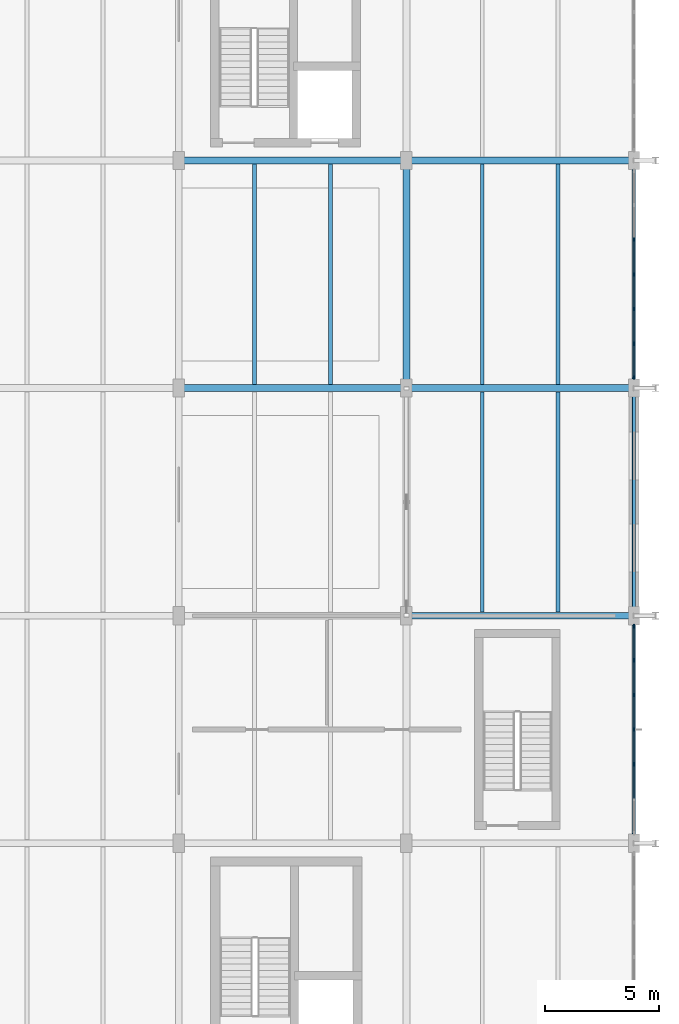
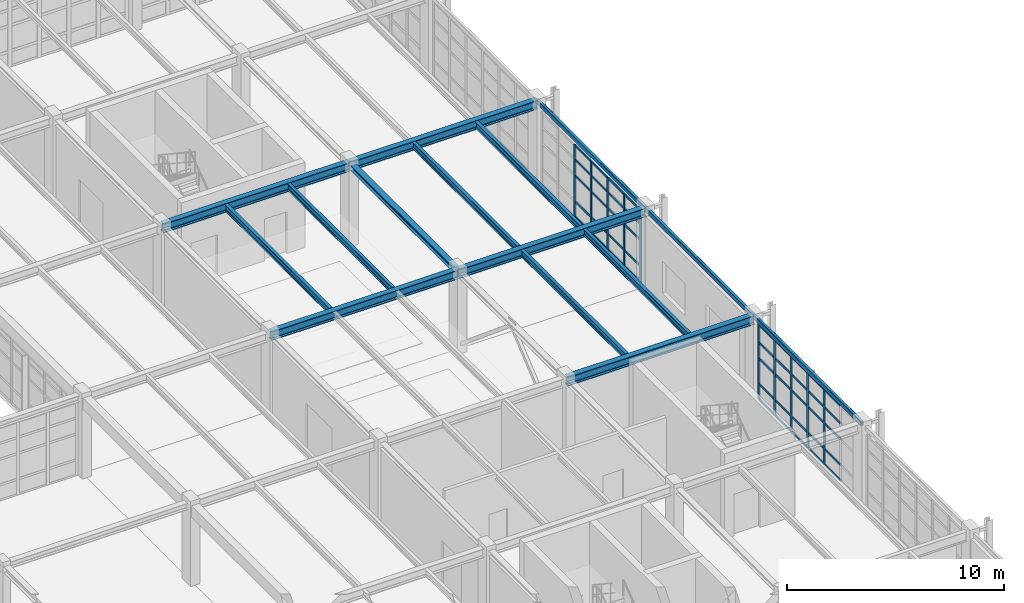
# One storey, part 70 of 139: 55 members, 15 beams, 2 elements without a shape of their own.
"""IFC4 building model written with IfcOpenShell, lengths in metres."""

import ifcopenshell
import ifcopenshell.guid

model = None  # the IFC model being written
_history = None  # IfcOwnerHistory: only IFC2X3 demands one
_inside = {}  # id of a spatial element -> (the spatial element, [elements in it])
_under = {}  # id of a project, library or spatial element -> (it, [spatial elements below it])
_declared = {}  # id of a project -> (the project, [libraries it declares])
_typed = {}  # id of a type object -> (the type object, [elements of that type])
_made_of = {}  # id of a material, layer set ... -> (it, [elements and type objects made of it])


def new_model(schema):
    """Start an empty IFC model of exactly this schema.

    Asked for "IFC4X3", IfcOpenShell would pick the latest addendum, in which some entities
    have other attributes; the version numbers below select the first issue.
    IFC2X3 requires an IfcOwnerHistory on every rooted entity: one is made here for all.
    """
    global model, _history
    if schema == "IFC4X3":
        model = ifcopenshell.file(schema_version=(4, 3, 0, 0))
    else:
        model = ifcopenshell.file(schema=schema)
    _inside.clear()
    _under.clear()
    _declared.clear()
    _typed.clear()
    _made_of.clear()
    _history = None
    if model.schema == "IFC2X3":
        org = make("IfcOrganization", Name="unknown")
        user = make(
            "IfcPersonAndOrganization",
            ThePerson=make("IfcPerson", FamilyName="unknown"),
            TheOrganization=org,
        )
        app = make(
            "IfcApplication",
            ApplicationDeveloper=org,
            Version="unknown",
            ApplicationFullName="unknown",
            ApplicationIdentifier="unknown",
        )
        _history = make(
            "IfcOwnerHistory",
            OwningUser=user,
            OwningApplication=app,
            ChangeAction="ADDED",
            CreationDate=0,
        )
    return model


def make(cls, **values):
    """One entity of the class cls with the attributes given. An attribute that is None is left unset."""
    return model.create_entity(
        cls, **{name: value for name, value in values.items() if value is not None}
    )


def rooted(cls, **values):
    """An entity with a GlobalId (a new one), such as an element, a storey or a relation."""
    return make(cls, GlobalId=ifcopenshell.guid.new(), OwnerHistory=_history, **values)


def si_unit(unit_type, name, prefix=None):
    """IfcSIUnit, for example si_unit("LENGTHUNIT", "METRE", prefix="MILLI")."""
    return make("IfcSIUnit", UnitType=unit_type, Prefix=prefix, Name=name)


def assignment(units):
    """IfcUnitAssignment: the units of a project."""
    return None if units is None else make("IfcUnitAssignment", Units=units)


def point(xyz):
    """IfcCartesianPoint."""
    return None if xyz is None else make("IfcCartesianPoint", Coordinates=xyz)


def direction(xyz):
    """IfcDirection."""
    return None if xyz is None else make("IfcDirection", DirectionRatios=xyz)


def frame(location, z_axis=None, x_axis=None):
    """IfcAxis2Placement3D, a coordinate frame: its origin and axes. An axis left out is left unset."""
    return make(
        "IfcAxis2Placement3D",
        Location=point(location),
        Axis=direction(z_axis),
        RefDirection=direction(x_axis),
    )


def frame_2d(location, x_axis=None):
    """IfcAxis2Placement2D, a coordinate frame in the plane: its origin and x axis."""
    return make(
        "IfcAxis2Placement2D", Location=point(location), RefDirection=direction(x_axis)
    )


def origin():
    """The frame at (0, 0, 0) with its axes left unset."""
    return frame((0.0, 0.0, 0.0))


def origin_2d():
    """The frame at (0, 0) in the plane with its x axis left unset."""
    return frame_2d((0.0, 0.0))


def place(relative_to, where):
    """IfcLocalPlacement: puts the frame where relative to a parent placement (None: the world)."""
    return make(
        "IfcLocalPlacement", PlacementRelTo=relative_to, RelativePlacement=where
    )


def context(
    kind, dimensions, precision=None, world=None, true_north=None, identifier=None
):
    """IfcGeometricRepresentationContext, for example the 3D "Model" context."""
    return make(
        "IfcGeometricRepresentationContext",
        ContextIdentifier=identifier,
        ContextType=kind,
        CoordinateSpaceDimension=dimensions,
        Precision=precision,
        WorldCoordinateSystem=world,
        TrueNorth=true_north,
    )


def subcontext(parent, identifier, kind, view, scale=None):
    """IfcGeometricRepresentationSubContext, for example "Body" below "Model"."""
    return make(
        "IfcGeometricRepresentationSubContext",
        ContextIdentifier=identifier,
        ContextType=kind,
        ParentContext=parent,
        TargetScale=scale,
        TargetView=view,
    )


def project(units=None, contexts=None):
    """IfcProject with its units and contexts."""
    return rooted(
        "IfcProject",
        Name="project",
        RepresentationContexts=contexts,
        UnitsInContext=assignment(units),
    )


def spatial(cls, under=None, at=None, **own):
    """A site, building, storey or space (cls), placed at a placement, below another one or the project."""
    s = rooted(cls, ObjectPlacement=at, **own)
    if under is not None:
        _under.setdefault(under.id(), (under, []))[1].append(s)
    return s


def profile(cls, at=None, kind="AREA", **sizes):
    """A parametric profile (cls). Its sizes go by their IFC names, for example OverallWidth=200.0."""
    return make(cls, ProfileType=kind, Position=at, **sizes)


def rectangle(**sizes):
    """IfcRectangleProfileDef."""
    return profile("IfcRectangleProfileDef", **sizes)


def hollow_rectangle(**sizes):
    """IfcRectangleHollowProfileDef."""
    return profile("IfcRectangleHollowProfileDef", **sizes)


def i_section(**sizes):
    """IfcIShapeProfileDef."""
    return profile("IfcIShapeProfileDef", **sizes)


def extrude(swept, where, along, depth):
    """IfcExtrudedAreaSolid: the profile swept, set in the frame where, extruded along a direction by depth."""
    return make(
        "IfcExtrudedAreaSolid",
        SweptArea=swept,
        Position=where,
        ExtrudedDirection=direction(along),
        Depth=depth,
    )


def shape(context_of_items, identifier, shape_type, items):
    """IfcShapeRepresentation: the items that make up one representation, for example the "Body"."""
    return make(
        "IfcShapeRepresentation",
        ContextOfItems=context_of_items,
        RepresentationIdentifier=identifier,
        RepresentationType=shape_type,
        Items=items,
    )


def material(Name=None, Category=None):
    """IfcMaterial."""
    return make("IfcMaterial", Name=Name, Category=Category)


def layer(
    of_material, thickness, ventilated=None, Name=None, Category=None, Priority=None
):
    """IfcMaterialLayer: one layer of a wall or slab, of a material (None: an air gap)."""
    return make(
        "IfcMaterialLayer",
        Material=of_material,
        LayerThickness=thickness,
        IsVentilated=ventilated,
        Name=Name,
        Category=Category,
        Priority=Priority,
    )


def layer_set(layers, Name=None):
    """IfcMaterialLayerSet."""
    return make("IfcMaterialLayerSet", MaterialLayers=layers, LayerSetName=Name)


def material_profile(
    of_material, cross_section, Name=None, Category=None, Priority=None
):
    """IfcMaterialProfile: a cross section and its material."""
    return make(
        "IfcMaterialProfile",
        Name=Name,
        Material=of_material,
        Profile=cross_section,
        Priority=Priority,
        Category=Category,
    )


def profile_set(profiles, Name=None, composite=None):
    """IfcMaterialProfileSet."""
    return make(
        "IfcMaterialProfileSet",
        Name=Name,
        MaterialProfiles=profiles,
        CompositeProfile=composite,
    )


def made_of(thing, what):
    """Note that an element or type object is made of a material, layer set ...; save() writes the relation."""
    if what is not None:
        _made_of.setdefault(what.id(), (what, []))[1].append(thing)
    return thing


def type_object(cls, material=None, **own):
    """A type object (cls), such as IfcWallType, which elements share."""
    return made_of(rooted(cls, **own), material)


def element(
    cls,
    number,
    at=None,
    inside=None,
    cuts=None,
    type_object=None,
    material=None,
    context=None,
    identifier="Body",
    shape_type=None,
    held_by="IfcProductDefinitionShape",
    body=None,
    shapes=None,
    **own,
):
    """One element of the class cls, such as IfcWall. Its Tag is "e" and its number.

    at: its placement. inside: the storey or other place that contains it. cuts: it is an
    opening in that element (IfcRelVoidsElement). A single representation is given by context,
    identifier, shape_type and body (its items); several are given by shapes. held_by: the class
    of the entity that holds the representations. save() writes the other relations.
    """
    e = rooted(cls, Tag="e%d" % number, ObjectPlacement=at, **own)
    if body is not None:
        shapes = [shape(context, identifier, shape_type, body)]
    if shapes is not None:
        e.Representation = make(held_by, Representations=shapes)
    if inside is not None:
        _inside.setdefault(inside.id(), (inside, []))[1].append(e)
    if cuts is not None:
        rooted(
            "IfcRelVoidsElement", RelatingBuildingElement=cuts, RelatedOpeningElement=e
        )
    if type_object is not None:
        _typed.setdefault(type_object.id(), (type_object, []))[1].append(e)
    return made_of(e, material)


def aggregate(whole, parts):
    """IfcRelAggregates: a whole, such as a stair, and the parts it consists of."""
    return rooted("IfcRelAggregates", RelatingObject=whole, RelatedObjects=parts)


def save(model, path):
    """Write the relations noted so far, then the file.

    IfcRelAggregates (storeys below a building ...), IfcRelContainedInSpatialStructure (elements
    in a storey), IfcRelDefinesByType, IfcRelAssociatesMaterial and IfcRelDeclares: one each for
    every whole, place, type object, material and project.
    """
    for whole, parts in _under.values():
        aggregate(whole, parts)
    for where, things in _inside.values():
        rooted(
            "IfcRelContainedInSpatialStructure",
            RelatedElements=things,
            RelatingStructure=where,
        )
    for kind, things in _typed.values():
        rooted("IfcRelDefinesByType", RelatedObjects=things, RelatingType=kind)
    for what, things in _made_of.values():
        rooted("IfcRelAssociatesMaterial", RelatedObjects=things, RelatingMaterial=what)
    for by, libraries in _declared.values():
        rooted("IfcRelDeclares", RelatingContext=by, RelatedDefinitions=libraries)
    model.write(path)


model = new_model("IFC4")

# Units and contexts
model_context = context("Model", 3, precision=1e-05, world=origin(), true_north=direction((0.0, 1.0)))
body_context = subcontext(model_context, "Body", "Model", "MODEL_VIEW")
ifc_project = project(units=[si_unit("LENGTHUNIT", "METRE"), si_unit("AREAUNIT", "SQUARE_METRE"), si_unit("VOLUMEUNIT", "CUBIC_METRE"), si_unit("PLANEANGLEUNIT", "RADIAN"), si_unit("MASSUNIT", "GRAM", prefix="KILO"), si_unit("THERMODYNAMICTEMPERATUREUNIT", "KELVIN"), si_unit("POWERUNIT", "WATT")], contexts=[model_context])

# Site, building, storey
site_placement = place(None, origin())
site = spatial("IfcSite", under=ifc_project, at=site_placement, CompositionType="ELEMENT")
building_placement = place(site_placement, origin())
building = spatial("IfcBuilding", under=site, at=building_placement, Name="Korenveer Ferry Terminal", CompositionType="ELEMENT")
storey_placement = place(building_placement, frame((0.0, 0.0, 5.39990234375)))
storey = spatial("IfcBuildingStorey", under=building, at=storey_placement, Name="L01", CompositionType="ELEMENT", Elevation=5.39990234375)

# Curtain wall, members
ifc_material_1 = material(Name="Unitised bronze-and-glass curtain wall", Category="glass")
ifc_layer_1 = layer(ifc_material_1, 0.159912109375)
ifc_layer_set_1 = layer_set([ifc_layer_1], Name="Unitised bronze-and-glass curtain wall")
curtain_wall_type_1 = type_object("IfcCurtainWallType", Name="ENV-CW-81", PredefinedType="USERDEFINED", material=ifc_layer_set_1)
curtain_wall_1_placement = place(storey_placement, frame((176.0, 39.570068359375, 0.0)))
curtain_wall_1 = element("IfcCurtainWall", 1, at=curtain_wall_1_placement, inside=storey, type_object=curtain_wall_type_1, Name="Lancet curtain wall CWX-L01-X176-176-Y30-40", ObjectType="UNITISED CURTAIN WALL", PredefinedType="USERDEFINED")
ifc_material_2 = material(Name="Anodised bronze aluminium", Category="aluminium")
ifc_material_profile_1 = material_profile(ifc_material_2, rectangle(XDim=0.06005859375, YDim=0.159912109375, at=origin_2d()), Name="ALU 60x160")
ifc_profile_set_1 = profile_set([ifc_material_profile_1], Name="Anodised bronze aluminium")
member_type_1 = type_object("IfcMemberType", Name="ENV-CWM-60X160", PredefinedType="MULLION", material=ifc_profile_set_1)
member_1_placement = place(storey_placement, frame((176.0, 39.5400390625, 0.0), z_axis=(0.0, 0.0, 1.0), x_axis=(1.0, 0.0, 0.0)))
member_1 = element("IfcMember", 2, at=member_1_placement, type_object=member_type_1, Name="CW-81 mullion 1", PredefinedType="MULLION", context=body_context, shape_type="SweptSolid", body=[
    extrude(rectangle(XDim=0.06005859375, YDim=0.159912109375, at=origin_2d()), origin(), (0.0, 0.0, 1.0), 4.27001953125),
])
member_2_placement = place(storey_placement, frame((176.0, 38.046630859375, 0.0), z_axis=(0.0, 0.0, 1.0), x_axis=(1.0, 0.0, 0.0)))
member_2 = element("IfcMember", 3, at=member_2_placement, type_object=member_type_1, Name="CW-81 mullion 2", PredefinedType="MULLION", context=body_context, shape_type="SweptSolid", body=[
    extrude(rectangle(XDim=0.06005859375, YDim=0.159912109375, at=origin_2d()), origin(), (0.0, 0.0, 1.0), 4.27001953125),
])
member_3_placement = place(storey_placement, frame((176.0, 36.5234375, 0.0), z_axis=(0.0, 0.0, 1.0), x_axis=(1.0, 0.0, 0.0)))
member_3 = element("IfcMember", 4, at=member_3_placement, type_object=member_type_1, Name="CW-81 mullion 3", PredefinedType="MULLION", context=body_context, shape_type="SweptSolid", body=[
    extrude(rectangle(XDim=0.06005859375, YDim=0.159912109375, at=origin_2d()), origin(), (0.0, 0.0, 1.0), 4.27001953125),
])
member_4_placement = place(storey_placement, frame((176.0, 35.0, 0.0), z_axis=(0.0, 0.0, 1.0), x_axis=(1.0, 0.0, 0.0)))
member_4 = element("IfcMember", 5, at=member_4_placement, type_object=member_type_1, Name="CW-81 mullion 4", PredefinedType="MULLION", context=body_context, shape_type="SweptSolid", body=[
    extrude(rectangle(XDim=0.06005859375, YDim=0.159912109375, at=origin_2d()), origin(), (0.0, 0.0, 1.0), 4.27001953125),
])
member_5_placement = place(storey_placement, frame((176.0, 33.4765625, 0.0), z_axis=(0.0, 0.0, 1.0), x_axis=(1.0, 0.0, 0.0)))
member_5 = element("IfcMember", 6, at=member_5_placement, type_object=member_type_1, Name="CW-81 mullion 5", PredefinedType="MULLION", context=body_context, shape_type="SweptSolid", body=[
    extrude(rectangle(XDim=0.06005859375, YDim=0.159912109375, at=origin_2d()), origin(), (0.0, 0.0, 1.0), 4.27001953125),
])

ifc_layer_2 = layer(ifc_material_1, 0.159912109375)
ifc_layer_set_2 = layer_set([ifc_layer_2], Name="Unitised bronze-and-glass curtain wall")
curtain_wall_type_2 = type_object("IfcCurtainWallType", Name="ENV-CW-80", PredefinedType="USERDEFINED", material=ifc_layer_set_2)
curtain_wall_2_placement = place(storey_placement, frame((176.0, 59.570068359375, 0.0)))
curtain_wall_2 = element("IfcCurtainWall", 7, at=curtain_wall_2_placement, inside=storey, type_object=curtain_wall_type_2, Name="Lancet curtain wall CWX-L01-X176-176-Y50-60", ObjectType="UNITISED CURTAIN WALL", PredefinedType="USERDEFINED")
member_6_placement = place(storey_placement, frame((176.0, 56.5234375, 0.0), z_axis=(0.0, 0.0, 1.0), x_axis=(1.0, 0.0, 0.0)))
member_6 = element("IfcMember", 8, at=member_6_placement, type_object=member_type_1, Name="CW-80 mullion 3", PredefinedType="MULLION", context=body_context, shape_type="SweptSolid", body=[
    extrude(rectangle(XDim=0.06005859375, YDim=0.159912109375, at=origin_2d()), origin(), (0.0, 0.0, 1.0), 4.070068359375),
])
member_7_placement = place(storey_placement, frame((176.0, 55.0, 0.0), z_axis=(0.0, 0.0, 1.0), x_axis=(1.0, 0.0, 0.0)))
member_7 = element("IfcMember", 9, at=member_7_placement, type_object=member_type_1, Name="CW-80 mullion 4", PredefinedType="MULLION", context=body_context, shape_type="SweptSolid", body=[
    extrude(rectangle(XDim=0.06005859375, YDim=0.159912109375, at=origin_2d()), origin(), (0.0, 0.0, 1.0), 4.070068359375),
])
member_8_placement = place(storey_placement, frame((176.0, 53.4765625, 0.0), z_axis=(0.0, 0.0, 1.0), x_axis=(1.0, 0.0, 0.0)))
member_8 = element("IfcMember", 10, at=member_8_placement, type_object=member_type_1, Name="CW-80 mullion 5", PredefinedType="MULLION", context=body_context, shape_type="SweptSolid", body=[
    extrude(rectangle(XDim=0.06005859375, YDim=0.159912109375, at=origin_2d()), origin(), (0.0, 0.0, 1.0), 4.070068359375),
])
member_9_placement = place(storey_placement, frame((176.0, 51.953369140625, 0.0), z_axis=(0.0, 0.0, 1.0), x_axis=(1.0, 0.0, 0.0)))
member_9 = element("IfcMember", 11, at=member_9_placement, type_object=member_type_1, Name="CW-80 mullion 6", PredefinedType="MULLION", context=body_context, shape_type="SweptSolid", body=[
    extrude(rectangle(XDim=0.06005859375, YDim=0.159912109375, at=origin_2d()), origin(), (0.0, 0.0, 1.0), 4.070068359375),
])
member_10_placement = place(storey_placement, frame((176.0, 50.4599609375, 0.0), z_axis=(0.0, 0.0, 1.0), x_axis=(1.0, 0.0, 0.0)))
member_10 = element("IfcMember", 12, at=member_10_placement, type_object=member_type_1, Name="CW-80 mullion 7", PredefinedType="MULLION", context=body_context, shape_type="SweptSolid", body=[
    extrude(rectangle(XDim=0.06005859375, YDim=0.159912109375, at=origin_2d()), origin(), (0.0, 0.0, 1.0), 4.070068359375),
])

# Member
ifc_material_profile_2 = material_profile(ifc_material_2, rectangle(XDim=0.06005859375, YDim=0.1201171875, at=origin_2d()), Name="ALU 60x120")
ifc_profile_set_2 = profile_set([ifc_material_profile_2], Name="Anodised bronze aluminium")
member_type_2 = type_object("IfcMemberType", Name="ENV-CWT-60X120", PredefinedType="USERDEFINED", material=ifc_profile_set_2)
member_11_placement = place(storey_placement, frame((176.0, 39.510009765625, 0.030029296875), z_axis=(0.0, -1.0, 0.0), x_axis=(1.0, 0.0, 0.0)))
member_11 = element("IfcMember", 13, at=member_11_placement, type_object=member_type_2, Name="CW-81 transom 1.1", ObjectType="TRANSOM", PredefinedType="USERDEFINED", context=body_context, shape_type="SweptSolid", body=[
    extrude(rectangle(XDim=0.06005859375, YDim=0.1201171875, at=origin_2d()), origin(), (0.0, 0.0, 1.0), 1.433349609375),
])

member_12_placement = place(storey_placement, frame((176.0, 39.510009765625, 0.900146484375), z_axis=(0.0, -1.0, 0.0), x_axis=(1.0, 0.0, 0.0)))
member_12 = element("IfcMember", 14, at=member_12_placement, type_object=member_type_2, Name="CW-81 transom 1.2", ObjectType="TRANSOM", PredefinedType="USERDEFINED", context=body_context, shape_type="SweptSolid", body=[
    extrude(rectangle(XDim=0.06005859375, YDim=0.1201171875, at=origin_2d()), origin(), (0.0, 0.0, 1.0), 1.433349609375),
])

member_13_placement = place(storey_placement, frame((176.0, 39.510009765625, 2.35009765625), z_axis=(0.0, -1.0, 0.0), x_axis=(1.0, 0.0, 0.0)))
member_13 = element("IfcMember", 15, at=member_13_placement, type_object=member_type_2, Name="CW-81 transom 1.3", ObjectType="TRANSOM", PredefinedType="USERDEFINED", context=body_context, shape_type="SweptSolid", body=[
    extrude(rectangle(XDim=0.06005859375, YDim=0.1201171875, at=origin_2d()), origin(), (0.0, 0.0, 1.0), 1.433349609375),
])

member_14_placement = place(storey_placement, frame((176.0, 39.510009765625, 3.25), z_axis=(0.0, -1.0, 0.0), x_axis=(1.0, 0.0, 0.0)))
member_14 = element("IfcMember", 16, at=member_14_placement, type_object=member_type_2, Name="CW-81 transom 1.4", ObjectType="TRANSOM", PredefinedType="USERDEFINED", context=body_context, shape_type="SweptSolid", body=[
    extrude(rectangle(XDim=0.06005859375, YDim=0.1201171875, at=origin_2d()), origin(), (0.0, 0.0, 1.0), 1.433349609375),
])

member_15_placement = place(storey_placement, frame((176.0, 39.510009765625, 4.239990234375), z_axis=(0.0, -1.0, 0.0), x_axis=(1.0, 0.0, 0.0)))
member_15 = element("IfcMember", 17, at=member_15_placement, type_object=member_type_2, Name="CW-81 transom 1.5", ObjectType="TRANSOM", PredefinedType="USERDEFINED", context=body_context, shape_type="SweptSolid", body=[
    extrude(rectangle(XDim=0.06005859375, YDim=0.1201171875, at=origin_2d()), origin(), (0.0, 0.0, 1.0), 1.433349609375),
])

member_16_placement = place(storey_placement, frame((176.0, 38.0166015625, 0.030029296875), z_axis=(0.0, -1.0, 0.0), x_axis=(1.0, 0.0, 0.0)))
member_16 = element("IfcMember", 18, at=member_16_placement, type_object=member_type_2, Name="CW-81 transom 2.1", ObjectType="TRANSOM", PredefinedType="USERDEFINED", context=body_context, shape_type="SweptSolid", body=[
    extrude(rectangle(XDim=0.06005859375, YDim=0.1201171875, at=origin_2d()), origin(), (0.0, 0.0, 1.0), 1.46337890625),
])

member_17_placement = place(storey_placement, frame((176.0, 38.0166015625, 0.900146484375), z_axis=(0.0, -1.0, 0.0), x_axis=(1.0, 0.0, 0.0)))
member_17 = element("IfcMember", 19, at=member_17_placement, type_object=member_type_2, Name="CW-81 transom 2.2", ObjectType="TRANSOM", PredefinedType="USERDEFINED", context=body_context, shape_type="SweptSolid", body=[
    extrude(rectangle(XDim=0.06005859375, YDim=0.1201171875, at=origin_2d()), origin(), (0.0, 0.0, 1.0), 1.46337890625),
])

member_18_placement = place(storey_placement, frame((176.0, 38.0166015625, 2.35009765625), z_axis=(0.0, -1.0, 0.0), x_axis=(1.0, 0.0, 0.0)))
member_18 = element("IfcMember", 20, at=member_18_placement, type_object=member_type_2, Name="CW-81 transom 2.3", ObjectType="TRANSOM", PredefinedType="USERDEFINED", context=body_context, shape_type="SweptSolid", body=[
    extrude(rectangle(XDim=0.06005859375, YDim=0.1201171875, at=origin_2d()), origin(), (0.0, 0.0, 1.0), 1.46337890625),
])

member_19_placement = place(storey_placement, frame((176.0, 38.0166015625, 3.25), z_axis=(0.0, -1.0, 0.0), x_axis=(1.0, 0.0, 0.0)))
member_19 = element("IfcMember", 21, at=member_19_placement, type_object=member_type_2, Name="CW-81 transom 2.4", ObjectType="TRANSOM", PredefinedType="USERDEFINED", context=body_context, shape_type="SweptSolid", body=[
    extrude(rectangle(XDim=0.06005859375, YDim=0.1201171875, at=origin_2d()), origin(), (0.0, 0.0, 1.0), 1.46337890625),
])

member_20_placement = place(storey_placement, frame((176.0, 38.0166015625, 4.239990234375), z_axis=(0.0, -1.0, 0.0), x_axis=(1.0, 0.0, 0.0)))
member_20 = element("IfcMember", 22, at=member_20_placement, type_object=member_type_2, Name="CW-81 transom 2.5", ObjectType="TRANSOM", PredefinedType="USERDEFINED", context=body_context, shape_type="SweptSolid", body=[
    extrude(rectangle(XDim=0.06005859375, YDim=0.1201171875, at=origin_2d()), origin(), (0.0, 0.0, 1.0), 1.46337890625),
])

member_21_placement = place(storey_placement, frame((176.0, 36.493408203125, 0.030029296875), z_axis=(0.0, -1.0, 0.0), x_axis=(1.0, 0.0, 0.0)))
member_21 = element("IfcMember", 23, at=member_21_placement, type_object=member_type_2, Name="CW-81 transom 3.1", ObjectType="TRANSOM", PredefinedType="USERDEFINED", context=body_context, shape_type="SweptSolid", body=[
    extrude(rectangle(XDim=0.06005859375, YDim=0.1201171875, at=origin_2d()), origin(), (0.0, 0.0, 1.0), 1.46337890625),
])

member_22_placement = place(storey_placement, frame((176.0, 36.493408203125, 0.900146484375), z_axis=(0.0, -1.0, 0.0), x_axis=(1.0, 0.0, 0.0)))
member_22 = element("IfcMember", 24, at=member_22_placement, type_object=member_type_2, Name="CW-81 transom 3.2", ObjectType="TRANSOM", PredefinedType="USERDEFINED", context=body_context, shape_type="SweptSolid", body=[
    extrude(rectangle(XDim=0.06005859375, YDim=0.1201171875, at=origin_2d()), origin(), (0.0, 0.0, 1.0), 1.46337890625),
])

member_23_placement = place(storey_placement, frame((176.0, 36.493408203125, 2.35009765625), z_axis=(0.0, -1.0, 0.0), x_axis=(1.0, 0.0, 0.0)))
member_23 = element("IfcMember", 25, at=member_23_placement, type_object=member_type_2, Name="CW-81 transom 3.3", ObjectType="TRANSOM", PredefinedType="USERDEFINED", context=body_context, shape_type="SweptSolid", body=[
    extrude(rectangle(XDim=0.06005859375, YDim=0.1201171875, at=origin_2d()), origin(), (0.0, 0.0, 1.0), 1.46337890625),
])

member_24_placement = place(storey_placement, frame((176.0, 36.493408203125, 3.25), z_axis=(0.0, -1.0, 0.0), x_axis=(1.0, 0.0, 0.0)))
member_24 = element("IfcMember", 26, at=member_24_placement, type_object=member_type_2, Name="CW-81 transom 3.4", ObjectType="TRANSOM", PredefinedType="USERDEFINED", context=body_context, shape_type="SweptSolid", body=[
    extrude(rectangle(XDim=0.06005859375, YDim=0.1201171875, at=origin_2d()), origin(), (0.0, 0.0, 1.0), 1.46337890625),
])

member_25_placement = place(storey_placement, frame((176.0, 36.493408203125, 4.239990234375), z_axis=(0.0, -1.0, 0.0), x_axis=(1.0, 0.0, 0.0)))
member_25 = element("IfcMember", 27, at=member_25_placement, type_object=member_type_2, Name="CW-81 transom 3.5", ObjectType="TRANSOM", PredefinedType="USERDEFINED", context=body_context, shape_type="SweptSolid", body=[
    extrude(rectangle(XDim=0.06005859375, YDim=0.1201171875, at=origin_2d()), origin(), (0.0, 0.0, 1.0), 1.46337890625),
])

member_26_placement = place(storey_placement, frame((176.0, 34.969970703125, 0.030029296875), z_axis=(0.0, -1.0, 0.0), x_axis=(1.0, 0.0, 0.0)))
member_26 = element("IfcMember", 28, at=member_26_placement, type_object=member_type_2, Name="CW-81 transom 4.1", ObjectType="TRANSOM", PredefinedType="USERDEFINED", context=body_context, shape_type="SweptSolid", body=[
    extrude(rectangle(XDim=0.06005859375, YDim=0.1201171875, at=origin_2d()), origin(), (0.0, 0.0, 1.0), 1.46337890625),
])

member_27_placement = place(storey_placement, frame((176.0, 34.969970703125, 0.900146484375), z_axis=(0.0, -1.0, 0.0), x_axis=(1.0, 0.0, 0.0)))
member_27 = element("IfcMember", 29, at=member_27_placement, type_object=member_type_2, Name="CW-81 transom 4.2", ObjectType="TRANSOM", PredefinedType="USERDEFINED", context=body_context, shape_type="SweptSolid", body=[
    extrude(rectangle(XDim=0.06005859375, YDim=0.1201171875, at=origin_2d()), origin(), (0.0, 0.0, 1.0), 1.46337890625),
])

member_28_placement = place(storey_placement, frame((176.0, 34.969970703125, 2.35009765625), z_axis=(0.0, -1.0, 0.0), x_axis=(1.0, 0.0, 0.0)))
member_28 = element("IfcMember", 30, at=member_28_placement, type_object=member_type_2, Name="CW-81 transom 4.3", ObjectType="TRANSOM", PredefinedType="USERDEFINED", context=body_context, shape_type="SweptSolid", body=[
    extrude(rectangle(XDim=0.06005859375, YDim=0.1201171875, at=origin_2d()), origin(), (0.0, 0.0, 1.0), 1.46337890625),
])

member_29_placement = place(storey_placement, frame((176.0, 34.969970703125, 3.25), z_axis=(0.0, -1.0, 0.0), x_axis=(1.0, 0.0, 0.0)))
member_29 = element("IfcMember", 31, at=member_29_placement, type_object=member_type_2, Name="CW-81 transom 4.4", ObjectType="TRANSOM", PredefinedType="USERDEFINED", context=body_context, shape_type="SweptSolid", body=[
    extrude(rectangle(XDim=0.06005859375, YDim=0.1201171875, at=origin_2d()), origin(), (0.0, 0.0, 1.0), 1.46337890625),
])

member_30_placement = place(storey_placement, frame((176.0, 34.969970703125, 4.239990234375), z_axis=(0.0, -1.0, 0.0), x_axis=(1.0, 0.0, 0.0)))
member_30 = element("IfcMember", 32, at=member_30_placement, type_object=member_type_2, Name="CW-81 transom 4.5", ObjectType="TRANSOM", PredefinedType="USERDEFINED", context=body_context, shape_type="SweptSolid", body=[
    extrude(rectangle(XDim=0.06005859375, YDim=0.1201171875, at=origin_2d()), origin(), (0.0, 0.0, 1.0), 1.46337890625),
])

member_31_placement = place(storey_placement, frame((176.0, 33.44677734375, 0.030029296875), z_axis=(0.0, -1.0, 0.0), x_axis=(1.0, 0.0, 0.0)))
member_31 = element("IfcMember", 33, at=member_31_placement, type_object=member_type_2, Name="CW-81 transom 5.1", ObjectType="TRANSOM", PredefinedType="USERDEFINED", context=body_context, shape_type="SweptSolid", body=[
    extrude(rectangle(XDim=0.06005859375, YDim=0.1201171875, at=origin_2d()), origin(), (0.0, 0.0, 1.0), 1.46337890625),
])

member_32_placement = place(storey_placement, frame((176.0, 33.44677734375, 0.900146484375), z_axis=(0.0, -1.0, 0.0), x_axis=(1.0, 0.0, 0.0)))
member_32 = element("IfcMember", 34, at=member_32_placement, type_object=member_type_2, Name="CW-81 transom 5.2", ObjectType="TRANSOM", PredefinedType="USERDEFINED", context=body_context, shape_type="SweptSolid", body=[
    extrude(rectangle(XDim=0.06005859375, YDim=0.1201171875, at=origin_2d()), origin(), (0.0, 0.0, 1.0), 1.46337890625),
])

member_33_placement = place(storey_placement, frame((176.0, 33.44677734375, 2.35009765625), z_axis=(0.0, -1.0, 0.0), x_axis=(1.0, 0.0, 0.0)))
member_33 = element("IfcMember", 35, at=member_33_placement, type_object=member_type_2, Name="CW-81 transom 5.3", ObjectType="TRANSOM", PredefinedType="USERDEFINED", context=body_context, shape_type="SweptSolid", body=[
    extrude(rectangle(XDim=0.06005859375, YDim=0.1201171875, at=origin_2d()), origin(), (0.0, 0.0, 1.0), 1.46337890625),
])

member_34_placement = place(storey_placement, frame((176.0, 33.44677734375, 3.25), z_axis=(0.0, -1.0, 0.0), x_axis=(1.0, 0.0, 0.0)))
member_34 = element("IfcMember", 36, at=member_34_placement, type_object=member_type_2, Name="CW-81 transom 5.4", ObjectType="TRANSOM", PredefinedType="USERDEFINED", context=body_context, shape_type="SweptSolid", body=[
    extrude(rectangle(XDim=0.06005859375, YDim=0.1201171875, at=origin_2d()), origin(), (0.0, 0.0, 1.0), 1.46337890625),
])

member_35_placement = place(storey_placement, frame((176.0, 33.44677734375, 4.239990234375), z_axis=(0.0, -1.0, 0.0), x_axis=(1.0, 0.0, 0.0)))
member_35 = element("IfcMember", 37, at=member_35_placement, type_object=member_type_2, Name="CW-81 transom 5.5", ObjectType="TRANSOM", PredefinedType="USERDEFINED", context=body_context, shape_type="SweptSolid", body=[
    extrude(rectangle(XDim=0.06005859375, YDim=0.1201171875, at=origin_2d()), origin(), (0.0, 0.0, 1.0), 1.46337890625),
])

aggregate(curtain_wall_1, [member_1, member_2, member_3, member_4, member_5, member_11, member_12, member_13, member_14, member_15, member_16, member_17, member_18, member_19, member_20, member_21, member_22, member_23, member_24, member_25, member_26, member_27, member_28, member_29, member_30, member_31, member_32, member_33, member_34, member_35])

member_36_placement = place(storey_placement, frame((176.0, 56.493408203125, 0.030029296875), z_axis=(0.0, -1.0, 0.0), x_axis=(1.0, 0.0, 0.0)))
member_36 = element("IfcMember", 38, at=member_36_placement, type_object=member_type_2, Name="CW-80 transom 3.1", ObjectType="TRANSOM", PredefinedType="USERDEFINED", context=body_context, shape_type="SweptSolid", body=[
    extrude(rectangle(XDim=0.06005859375, YDim=0.1201171875, at=origin_2d()), origin(), (0.0, 0.0, 1.0), 1.46337890625),
])

member_37_placement = place(storey_placement, frame((176.0, 56.493408203125, 0.900146484375), z_axis=(0.0, -1.0, 0.0), x_axis=(1.0, 0.0, 0.0)))
member_37 = element("IfcMember", 39, at=member_37_placement, type_object=member_type_2, Name="CW-80 transom 3.2", ObjectType="TRANSOM", PredefinedType="USERDEFINED", context=body_context, shape_type="SweptSolid", body=[
    extrude(rectangle(XDim=0.06005859375, YDim=0.1201171875, at=origin_2d()), origin(), (0.0, 0.0, 1.0), 1.46337890625),
])

member_38_placement = place(storey_placement, frame((176.0, 56.493408203125, 2.35009765625), z_axis=(0.0, -1.0, 0.0), x_axis=(1.0, 0.0, 0.0)))
member_38 = element("IfcMember", 40, at=member_38_placement, type_object=member_type_2, Name="CW-80 transom 3.3", ObjectType="TRANSOM", PredefinedType="USERDEFINED", context=body_context, shape_type="SweptSolid", body=[
    extrude(rectangle(XDim=0.06005859375, YDim=0.1201171875, at=origin_2d()), origin(), (0.0, 0.0, 1.0), 1.46337890625),
])

member_39_placement = place(storey_placement, frame((176.0, 56.493408203125, 3.25), z_axis=(0.0, -1.0, 0.0), x_axis=(1.0, 0.0, 0.0)))
member_39 = element("IfcMember", 41, at=member_39_placement, type_object=member_type_2, Name="CW-80 transom 3.4", ObjectType="TRANSOM", PredefinedType="USERDEFINED", context=body_context, shape_type="SweptSolid", body=[
    extrude(rectangle(XDim=0.06005859375, YDim=0.1201171875, at=origin_2d()), origin(), (0.0, 0.0, 1.0), 1.46337890625),
])

member_40_placement = place(storey_placement, frame((176.0, 56.493408203125, 4.0400390625), z_axis=(0.0, -1.0, 0.0), x_axis=(1.0, 0.0, 0.0)))
member_40 = element("IfcMember", 42, at=member_40_placement, type_object=member_type_2, Name="CW-80 transom 3.5", ObjectType="TRANSOM", PredefinedType="USERDEFINED", context=body_context, shape_type="SweptSolid", body=[
    extrude(rectangle(XDim=0.06005859375, YDim=0.1201171875, at=origin_2d()), origin(), (0.0, 0.0, 1.0), 1.46337890625),
])

member_41_placement = place(storey_placement, frame((176.0, 54.969970703125, 0.030029296875), z_axis=(0.0, -1.0, 0.0), x_axis=(1.0, 0.0, 0.0)))
member_41 = element("IfcMember", 43, at=member_41_placement, type_object=member_type_2, Name="CW-80 transom 4.1", ObjectType="TRANSOM", PredefinedType="USERDEFINED", context=body_context, shape_type="SweptSolid", body=[
    extrude(rectangle(XDim=0.06005859375, YDim=0.1201171875, at=origin_2d()), origin(), (0.0, 0.0, 1.0), 1.46337890625),
])

member_42_placement = place(storey_placement, frame((176.0, 54.969970703125, 0.900146484375), z_axis=(0.0, -1.0, 0.0), x_axis=(1.0, 0.0, 0.0)))
member_42 = element("IfcMember", 44, at=member_42_placement, type_object=member_type_2, Name="CW-80 transom 4.2", ObjectType="TRANSOM", PredefinedType="USERDEFINED", context=body_context, shape_type="SweptSolid", body=[
    extrude(rectangle(XDim=0.06005859375, YDim=0.1201171875, at=origin_2d()), origin(), (0.0, 0.0, 1.0), 1.46337890625),
])

member_43_placement = place(storey_placement, frame((176.0, 54.969970703125, 2.35009765625), z_axis=(0.0, -1.0, 0.0), x_axis=(1.0, 0.0, 0.0)))
member_43 = element("IfcMember", 45, at=member_43_placement, type_object=member_type_2, Name="CW-80 transom 4.3", ObjectType="TRANSOM", PredefinedType="USERDEFINED", context=body_context, shape_type="SweptSolid", body=[
    extrude(rectangle(XDim=0.06005859375, YDim=0.1201171875, at=origin_2d()), origin(), (0.0, 0.0, 1.0), 1.46337890625),
])

member_44_placement = place(storey_placement, frame((176.0, 54.969970703125, 3.25), z_axis=(0.0, -1.0, 0.0), x_axis=(1.0, 0.0, 0.0)))
member_44 = element("IfcMember", 46, at=member_44_placement, type_object=member_type_2, Name="CW-80 transom 4.4", ObjectType="TRANSOM", PredefinedType="USERDEFINED", context=body_context, shape_type="SweptSolid", body=[
    extrude(rectangle(XDim=0.06005859375, YDim=0.1201171875, at=origin_2d()), origin(), (0.0, 0.0, 1.0), 1.46337890625),
])

member_45_placement = place(storey_placement, frame((176.0, 54.969970703125, 4.0400390625), z_axis=(0.0, -1.0, 0.0), x_axis=(1.0, 0.0, 0.0)))
member_45 = element("IfcMember", 47, at=member_45_placement, type_object=member_type_2, Name="CW-80 transom 4.5", ObjectType="TRANSOM", PredefinedType="USERDEFINED", context=body_context, shape_type="SweptSolid", body=[
    extrude(rectangle(XDim=0.06005859375, YDim=0.1201171875, at=origin_2d()), origin(), (0.0, 0.0, 1.0), 1.46337890625),
])

member_46_placement = place(storey_placement, frame((176.0, 53.44677734375, 0.030029296875), z_axis=(0.0, -1.0, 0.0), x_axis=(1.0, 0.0, 0.0)))
member_46 = element("IfcMember", 48, at=member_46_placement, type_object=member_type_2, Name="CW-80 transom 5.1", ObjectType="TRANSOM", PredefinedType="USERDEFINED", context=body_context, shape_type="SweptSolid", body=[
    extrude(rectangle(XDim=0.06005859375, YDim=0.1201171875, at=origin_2d()), origin(), (0.0, 0.0, 1.0), 1.46337890625),
])

member_47_placement = place(storey_placement, frame((176.0, 53.44677734375, 0.900146484375), z_axis=(0.0, -1.0, 0.0), x_axis=(1.0, 0.0, 0.0)))
member_47 = element("IfcMember", 49, at=member_47_placement, type_object=member_type_2, Name="CW-80 transom 5.2", ObjectType="TRANSOM", PredefinedType="USERDEFINED", context=body_context, shape_type="SweptSolid", body=[
    extrude(rectangle(XDim=0.06005859375, YDim=0.1201171875, at=origin_2d()), origin(), (0.0, 0.0, 1.0), 1.46337890625),
])

member_48_placement = place(storey_placement, frame((176.0, 53.44677734375, 2.35009765625), z_axis=(0.0, -1.0, 0.0), x_axis=(1.0, 0.0, 0.0)))
member_48 = element("IfcMember", 50, at=member_48_placement, type_object=member_type_2, Name="CW-80 transom 5.3", ObjectType="TRANSOM", PredefinedType="USERDEFINED", context=body_context, shape_type="SweptSolid", body=[
    extrude(rectangle(XDim=0.06005859375, YDim=0.1201171875, at=origin_2d()), origin(), (0.0, 0.0, 1.0), 1.46337890625),
])

member_49_placement = place(storey_placement, frame((176.0, 53.44677734375, 3.25), z_axis=(0.0, -1.0, 0.0), x_axis=(1.0, 0.0, 0.0)))
member_49 = element("IfcMember", 51, at=member_49_placement, type_object=member_type_2, Name="CW-80 transom 5.4", ObjectType="TRANSOM", PredefinedType="USERDEFINED", context=body_context, shape_type="SweptSolid", body=[
    extrude(rectangle(XDim=0.06005859375, YDim=0.1201171875, at=origin_2d()), origin(), (0.0, 0.0, 1.0), 1.46337890625),
])

member_50_placement = place(storey_placement, frame((176.0, 53.44677734375, 4.0400390625), z_axis=(0.0, -1.0, 0.0), x_axis=(1.0, 0.0, 0.0)))
member_50 = element("IfcMember", 52, at=member_50_placement, type_object=member_type_2, Name="CW-80 transom 5.5", ObjectType="TRANSOM", PredefinedType="USERDEFINED", context=body_context, shape_type="SweptSolid", body=[
    extrude(rectangle(XDim=0.06005859375, YDim=0.1201171875, at=origin_2d()), origin(), (0.0, 0.0, 1.0), 1.46337890625),
])

member_51_placement = place(storey_placement, frame((176.0, 51.92333984375, 0.030029296875), z_axis=(0.0, -1.0, 0.0), x_axis=(1.0, 0.0, 0.0)))
member_51 = element("IfcMember", 53, at=member_51_placement, type_object=member_type_2, Name="CW-80 transom 6.1", ObjectType="TRANSOM", PredefinedType="USERDEFINED", context=body_context, shape_type="SweptSolid", body=[
    extrude(rectangle(XDim=0.06005859375, YDim=0.1201171875, at=origin_2d()), origin(), (0.0, 0.0, 1.0), 1.433349609375),
])

member_52_placement = place(storey_placement, frame((176.0, 51.92333984375, 0.900146484375), z_axis=(0.0, -1.0, 0.0), x_axis=(1.0, 0.0, 0.0)))
member_52 = element("IfcMember", 54, at=member_52_placement, type_object=member_type_2, Name="CW-80 transom 6.2", ObjectType="TRANSOM", PredefinedType="USERDEFINED", context=body_context, shape_type="SweptSolid", body=[
    extrude(rectangle(XDim=0.06005859375, YDim=0.1201171875, at=origin_2d()), origin(), (0.0, 0.0, 1.0), 1.433349609375),
])

member_53_placement = place(storey_placement, frame((176.0, 51.92333984375, 2.35009765625), z_axis=(0.0, -1.0, 0.0), x_axis=(1.0, 0.0, 0.0)))
member_53 = element("IfcMember", 55, at=member_53_placement, type_object=member_type_2, Name="CW-80 transom 6.3", ObjectType="TRANSOM", PredefinedType="USERDEFINED", context=body_context, shape_type="SweptSolid", body=[
    extrude(rectangle(XDim=0.06005859375, YDim=0.1201171875, at=origin_2d()), origin(), (0.0, 0.0, 1.0), 1.433349609375),
])

member_54_placement = place(storey_placement, frame((176.0, 51.92333984375, 3.25), z_axis=(0.0, -1.0, 0.0), x_axis=(1.0, 0.0, 0.0)))
member_54 = element("IfcMember", 56, at=member_54_placement, type_object=member_type_2, Name="CW-80 transom 6.4", ObjectType="TRANSOM", PredefinedType="USERDEFINED", context=body_context, shape_type="SweptSolid", body=[
    extrude(rectangle(XDim=0.06005859375, YDim=0.1201171875, at=origin_2d()), origin(), (0.0, 0.0, 1.0), 1.433349609375),
])

member_55_placement = place(storey_placement, frame((176.0, 51.92333984375, 4.0400390625), z_axis=(0.0, -1.0, 0.0), x_axis=(1.0, 0.0, 0.0)))
member_55 = element("IfcMember", 57, at=member_55_placement, type_object=member_type_2, Name="CW-80 transom 6.5", ObjectType="TRANSOM", PredefinedType="USERDEFINED", context=body_context, shape_type="SweptSolid", body=[
    extrude(rectangle(XDim=0.06005859375, YDim=0.1201171875, at=origin_2d()), origin(), (0.0, 0.0, 1.0), 1.433349609375),
])

aggregate(curtain_wall_2, [member_6, member_7, member_8, member_9, member_10, member_36, member_37, member_38, member_39, member_40, member_41, member_42, member_43, member_44, member_45, member_46, member_47, member_48, member_49, member_50, member_51, member_52, member_53, member_54, member_55])

# Beams
ifc_material_3 = material(Name="Steel S355", Category="steel")
ifc_material_profile_3 = material_profile(ifc_material_3, i_section(OverallWidth=0.300048828125, OverallDepth=0.2900390625, WebThickness=0.008544921875, FlangeThickness=0.013916015625, FilletRadius=0.027099609375, at=origin_2d()), Name="HEA 300")
ifc_profile_set_3 = profile_set([ifc_material_profile_3], Name="Steel S355")
beam_type_1 = type_object("IfcBeamType", Name="STR-BM-HEA300", PredefinedType="BEAM", material=ifc_profile_set_3)
beam_placement = place(storey_placement, frame((166.0, 50.02001953125, 4.405029296875), z_axis=(0.0, 1.0, 0.0), x_axis=(-1.0, 0.0, 0.0)))
element("IfcBeam", 58, at=beam_placement, inside=storey, type_object=beam_type_1, Name="Primary Y girder BMY-L02-X166-Y50-60", PredefinedType="BEAM", context=body_context, shape_type="SweptSolid", body=[
    extrude(i_section(OverallWidth=0.300048828125, OverallDepth=0.2900390625, WebThickness=0.008544921875, FlangeThickness=0.013916015625, FilletRadius=0.027099609375, at=origin_2d()), origin(), (0.0, 0.0, 1.0), 9.9599609375),
])
ifc_material_profile_4 = material_profile(ifc_material_3, i_section(OverallWidth=0.300048828125, OverallDepth=0.5, WebThickness=0.014404296875, FlangeThickness=0.028076171875, FilletRadius=0.027099609375, at=origin_2d()), Name="HEB 500")
ifc_profile_set_4 = profile_set([ifc_material_profile_4], Name="Steel S355")
beam_type_2 = type_object("IfcBeamType", Name="STR-BM-HEB500", PredefinedType="BEAM", material=ifc_profile_set_4)
for number, where, z_axis, x_axis, name in (
    (59, (166.02001953125, 40.0, 4.300048828125), (1.0, 0.0, 0.0), (0.0, 1.0, 0.0), "Primary X girder BMX-L02-X166-176-Y40"),
    (60, (156.02001953125, 50.0, 4.300048828125), (1.0, 0.0, 0.0), (0.0, 1.0, 0.0), "Primary X girder BMX-L02-X156-166-Y50"),
    (61, (166.02001953125, 50.0, 4.300048828125), (1.0, 0.0, 0.0), (0.0, 1.0, 0.0), "Primary X girder BMX-L02-X166-176-Y50"),
    (62, (156.02001953125, 60.0, 4.300048828125), (1.0, 0.0, 0.0), (0.0, 1.0, 0.0), "Primary X girder BMX-L02-X156-166-Y60"),
    (63, (166.02001953125, 60.0, 4.300048828125), (1.0, 0.0, 0.0), (0.0, 1.0, 0.0), "Primary X girder BMX-L02-X166-176-Y60"),
):
    element("IfcBeam", number, at=place(storey_placement, frame(where, z_axis=z_axis, x_axis=x_axis)), inside=storey, type_object=beam_type_2, Name=name, PredefinedType="BEAM", context=body_context, shape_type="SweptSolid", body=[
        extrude(i_section(OverallWidth=0.300048828125, OverallDepth=0.5, WebThickness=0.014404296875, FlangeThickness=0.028076171875, FilletRadius=0.027099609375, at=origin_2d()), origin(), (0.0, 0.0, 1.0), 9.9599609375),
    ])
ifc_material_profile_5 = material_profile(ifc_material_3, i_section(OverallWidth=0.169921875, OverallDepth=0.360107421875, WebThickness=0.008056640625, FlangeThickness=0.0126953125, FilletRadius=0.01806640625, at=origin_2d()), Name="IPE 360")
ifc_profile_set_5 = profile_set([ifc_material_profile_5], Name="Steel S355")
beam_type_3 = type_object("IfcBeamType", Name="STR-JST-IPE360", PredefinedType="JOIST", material=ifc_profile_set_5)
for number, where, z_axis, x_axis, name in (
    (64, (159.333251953125, 50.159912109375, 4.3701171875), (0.0, 1.0, 0.0), (-1.0, 0.0, 0.0), "Secondary composite joist JST-L02-X1593-Y50-60"),
    (65, (162.666748046875, 50.159912109375, 4.3701171875), (0.0, 1.0, 0.0), (-1.0, 0.0, 0.0), "Secondary composite joist JST-L02-X1627-Y50-60"),
    (66, (169.333251953125, 40.159912109375, 4.3701171875), (0.0, 1.0, 0.0), (-1.0, 0.0, 0.0), "Secondary composite joist JST-L02-X1693-Y40-50"),
    (67, (172.666748046875, 40.159912109375, 4.3701171875), (0.0, 1.0, 0.0), (-1.0, 0.0, 0.0), "Secondary composite joist JST-L02-X1727-Y40-50"),
    (68, (169.333251953125, 50.159912109375, 4.3701171875), (0.0, 1.0, 0.0), (-1.0, 0.0, 0.0), "Secondary composite joist JST-L02-X1693-Y50-60"),
    (69, (172.666748046875, 50.159912109375, 4.3701171875), (0.0, 1.0, 0.0), (-1.0, 0.0, 0.0), "Secondary composite joist JST-L02-X1727-Y50-60"),
):
    element("IfcBeam", number, at=place(storey_placement, frame(where, z_axis=z_axis, x_axis=x_axis)), inside=storey, type_object=beam_type_3, Name=name, PredefinedType="JOIST", context=body_context, shape_type="SweptSolid", body=[
        extrude(i_section(OverallWidth=0.169921875, OverallDepth=0.360107421875, WebThickness=0.008056640625, FlangeThickness=0.0126953125, FilletRadius=0.01806640625, at=origin_2d()), origin(), (0.0, 0.0, 1.0), 9.68017578125),
    ])
ifc_material_profile_6 = material_profile(ifc_material_3, hollow_rectangle(XDim=0.14990234375, YDim=0.25, WallThickness=0.010009765625, InnerFilletRadius=0.010009765625, OuterFilletRadius=0.014892578125, at=origin_2d()), Name="RHS 250x150x10")
ifc_profile_set_6 = profile_set([ifc_material_profile_6], Name="Steel S355")
beam_type_4 = type_object("IfcBeamType", Name="STR-SPD-RHS250", PredefinedType="SPANDREL", material=ifc_profile_set_6)
for number, where, z_axis, x_axis, name in (
    (70, (176.0, 30.02001953125, 4.425048828125), (0.0, 1.0, 0.0), (-1.0, 0.0, 0.0), "Primary Y girder BMY-L02-X176-Y30-40"),
    (71, (176.0, 40.02001953125, 4.425048828125), (0.0, 1.0, 0.0), (-1.0, 0.0, 0.0), "Primary Y girder BMY-L02-X176-Y40-50"),
    (72, (176.0, 50.02001953125, 4.425048828125), (0.0, 1.0, 0.0), (-1.0, 0.0, 0.0), "Primary Y girder BMY-L02-X176-Y50-60"),
):
    element("IfcBeam", number, at=place(storey_placement, frame(where, z_axis=z_axis, x_axis=x_axis)), inside=storey, type_object=beam_type_4, Name=name, PredefinedType="SPANDREL", context=body_context, shape_type="SweptSolid", body=[
        extrude(hollow_rectangle(XDim=0.14990234375, YDim=0.25, WallThickness=0.010009765625, InnerFilletRadius=0.010009765625, OuterFilletRadius=0.014892578125, at=origin_2d()), origin(), (0.0, 0.0, 1.0), 9.9599609375),
    ])

save(model, "model.ifc")
